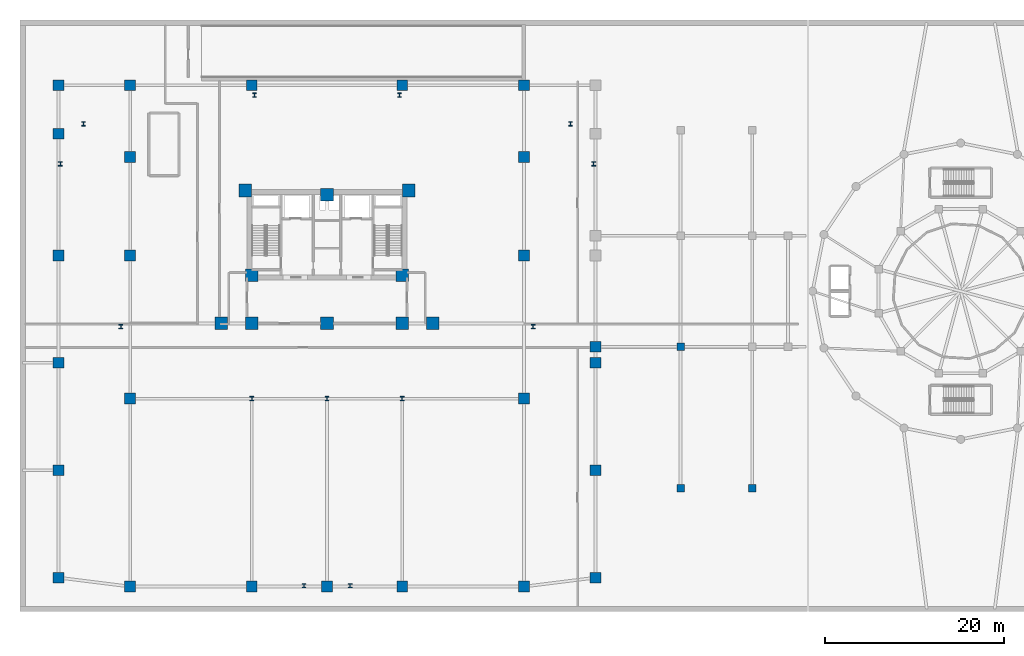
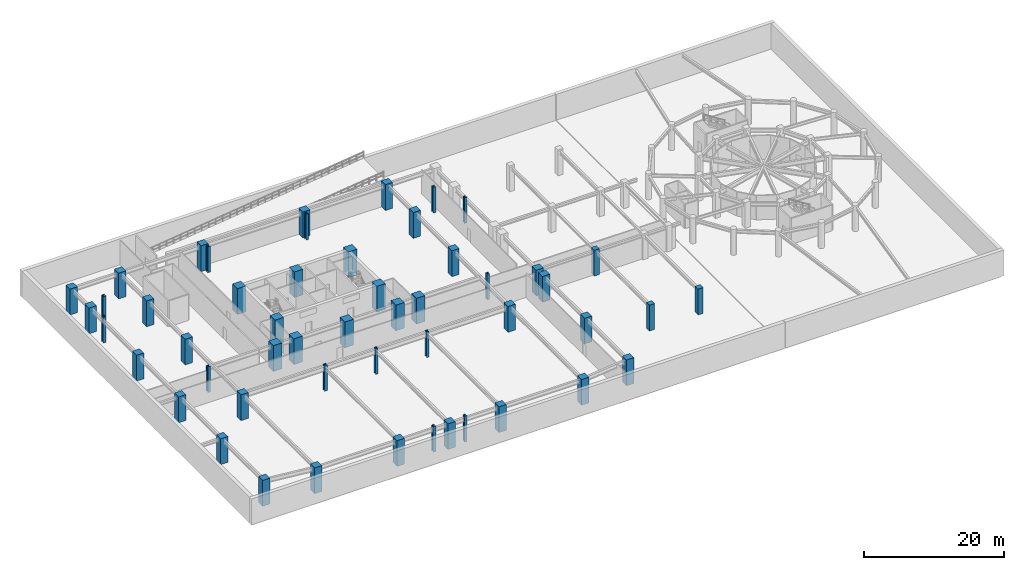
# One storey, part 1 of 15: 51 columns.
"""IFC4 building model written with IfcOpenShell, lengths in metres."""

from ifc_helpers import new_model, si_unit, derived_unit, direction, frame, origin, origin_2d, place, context, subcontext, project, spatial, rectangle, i_section, extrude, source, transform, mapped, material, material_profile, profile_set, type_object, element, save


model = new_model("IFC4")

# Units and contexts
model_context = context("Model", 3, precision=1e-05, world=origin(), true_north=direction((0.0, 1.0)))
body_context = subcontext(model_context, "Body", "Model", "MODEL_VIEW")
ifc_project = project(units=[si_unit("LENGTHUNIT", "METRE"), si_unit("AREAUNIT", "SQUARE_METRE"), si_unit("VOLUMEUNIT", "CUBIC_METRE"), si_unit("PLANEANGLEUNIT", "RADIAN"), si_unit("MASSUNIT", "GRAM", prefix="KILO"), derived_unit("THERMALTRANSMITTANCEUNIT", [(si_unit("POWERUNIT", "WATT"), 1), (si_unit("LENGTHUNIT", "METRE"), -2), (si_unit("THERMODYNAMICTEMPERATUREUNIT", "KELVIN"), -1)])], contexts=[model_context])

# Site, building, storey
site_placement = place(None, origin())
site = spatial("IfcSite", under=ifc_project, at=site_placement, CompositionType="ELEMENT")
building_placement = place(site_placement, origin())
building = spatial("IfcBuilding", under=site, at=building_placement, Name="Korsvarv Bourse and Concert Hall", CompositionType="ELEMENT")
storey_placement = place(building_placement, frame((0.0, 0.0, -4.5)))
storey = spatial("IfcBuildingStorey", under=building, at=storey_placement, Name="B01", CompositionType="ELEMENT", Elevation=-4.5)

# Columns
ifc_material_1 = material(Name="Concrete C60/75", Category="concrete")
ifc_material_profile_1 = material_profile(ifc_material_1, rectangle(XDim=1.39990234375, YDim=1.39990234375, at=origin_2d()), Name="RC 1400x1400")
ifc_profile_set_1 = profile_set([ifc_material_profile_1], Name="Concrete C60/75")
column_type_1 = type_object("IfcColumnType", Name="COL-RC1400", PredefinedType="COLUMN", material=ifc_profile_set_1)
shared_shape_1 = source(origin(), body_context, "Body", "SweptSolid", [
    extrude(rectangle(XDim=1.39990234375, YDim=1.39990234375, at=origin_2d()), origin(), (0.0, 0.0, 1.0), 4.5),
])
for number, where, z_axis, x_axis, name in (
    (1, (26.85009765625, 47.25, 0.0), (0.0, 0.0, 1.0), (1.0, 0.0, 0.0), "B01 column C-01"),
    (2, (45.14990234375, 47.25, 0.0), (0.0, 0.0, 1.0), (1.0, 0.0, 0.0), "B01 column C-01"),
    (3, (27.60009765625, 37.800048828125, 0.0), (0.0, 0.0, 1.0), (1.0, 0.0, 0.0), "B01 column C-01"),
    (4, (44.39990234375, 37.800048828125, 0.0), (0.0, 0.0, 1.0), (1.0, 0.0, 0.0), "B01 column C-01"),
    (5, (27.60009765625, 32.39990234375, 0.0), (0.0, 0.0, 1.0), (1.0, 0.0, 0.0), "B01 column C-01"),
    (6, (44.39990234375, 32.39990234375, 0.0), (0.0, 0.0, 1.0), (1.0, 0.0, 0.0), "B01 column C-01"),
    (7, (36.0, 46.800048828125, 0.0), (0.0, 0.0, 1.0), (1.0, 0.0, 0.0), "B01 column C-01"),
    (8, (36.0, 32.39990234375, 0.0), (0.0, 0.0, 1.0), (1.0, 0.0, 0.0), "B01 column C-01"),
    (9, (24.199951171875, 32.39990234375, 0.0), (0.0, 0.0, 1.0), (1.0, 0.0, 0.0), "B01 column C-01"),
    (10, (47.800048828125, 32.39990234375, 0.0), (0.0, 0.0, 1.0), (1.0, 0.0, 0.0), "B01 column C-01"),
):
    element("IfcColumn", number, at=place(storey_placement, frame(where, z_axis=z_axis, x_axis=x_axis)), inside=storey, type_object=column_type_1, Name=name, PredefinedType="COLUMN", context=body_context, shape_type="MappedRepresentation", body=[
        mapped(shared_shape_1, transform((0.0, 0.0, 0.0), scale=1.0)),
    ])
ifc_material_2 = material(Name="Steel S460", Category="steel")
ifc_material_profile_2 = material_profile(ifc_material_2, i_section(OverallWidth=0.424072265625, OverallDepth=0.47412109375, WebThickness=0.044921875, FlangeThickness=0.072021484375, FilletRadius=0.014892578125, at=origin_2d()), Name="HD 400x634")
ifc_profile_set_2 = profile_set([ifc_material_profile_2], Name="Steel S460")
column_type_2 = type_object("IfcColumnType", Name="COL-HD634", PredefinedType="COLUMN", material=ifc_profile_set_2)
shared_shape_2 = source(origin(), body_context, "Body", "SweptSolid", [
    extrude(i_section(OverallWidth=0.424072265625, OverallDepth=0.47412109375, WebThickness=0.044921875, FlangeThickness=0.072021484375, FilletRadius=0.014892578125, at=origin_2d()), origin(), (0.0, 0.0, 1.0), 4.5),
])
for number, where, z_axis, x_axis, name in (
    (11, (27.60009765625, 24.0, 0.0), (0.0, 0.0, 1.0), (1.0, 0.0, 0.0), "B01 column C-07"),
    (12, (44.39990234375, 24.0, 0.0), (0.0, 0.0, 1.0), (1.0, 0.0, 0.0), "B01 column C-07"),
    (13, (36.0, 24.0, 0.0), (0.0, 0.0, 1.0), (1.0, 0.0, 0.0), "B01 column C-07"),
    (14, (65.78857421875, 50.21728515625, 0.0), (0.0, 0.0, 1.0), (1.0, 0.0, 0.0), "B01 column C-07"),
    (15, (63.206787109375, 54.689208984375, 0.0), (0.0, 0.0, 1.0), (1.0, 0.0, 0.0), "B01 column C-07"),
    (16, (44.097412109375, 57.9169921875, 0.0), (0.0, 0.0, 1.0), (1.0, 0.0, 0.0), "B01 column C-07"),
    (17, (27.902587890625, 57.9169921875, 0.0), (0.0, 0.0, 1.0), (1.0, 0.0, 0.0), "B01 column C-07"),
    (18, (8.793212890625, 54.689208984375, 0.0), (0.0, 0.0, 1.0), (1.0, 0.0, 0.0), "B01 column C-07"),
    (19, (6.21142578125, 50.21728515625, 0.0), (0.0, 0.0, 1.0), (1.0, 0.0, 0.0), "B01 column C-07"),
    (20, (12.970458984375, 32.05419921875, 0.0), (0.0, 0.0, 1.0), (1.0, 0.0, 0.0), "B01 column C-07"),
    (21, (33.418212890625, 3.09375, 0.0), (0.0, 0.0, 1.0), (1.0, 0.0, 0.0), "B01 column C-07"),
    (22, (38.581787109375, 3.09375, 0.0), (0.0, 0.0, 1.0), (1.0, 0.0, 0.0), "B01 column C-07"),
    (23, (59.029541015625, 32.05419921875, 0.0), (0.0, 0.0, 1.0), (1.0, 0.0, 0.0), "B01 column C-07"),
):
    element("IfcColumn", number, at=place(storey_placement, frame(where, z_axis=z_axis, x_axis=x_axis)), inside=storey, type_object=column_type_2, Name=name, PredefinedType="COLUMN", context=body_context, shape_type="MappedRepresentation", body=[
        mapped(shared_shape_2, transform((0.0, 0.0, 0.0), scale=1.0)),
    ])
ifc_material_profile_3 = material_profile(ifc_material_1, rectangle(XDim=1.199951171875, YDim=1.199951171875, at=origin_2d()), Name="RC 1200x1200")
ifc_profile_set_3 = profile_set([ifc_material_profile_3], Name="Concrete C60/75")
column_type_3 = type_object("IfcColumnType", Name="COL-RC1200", PredefinedType="COLUMN", material=ifc_profile_set_3)
shared_shape_3 = source(origin(), body_context, "Body", "SweptSolid", [
    extrude(rectangle(XDim=1.199951171875, YDim=1.199951171875, at=origin_2d()), origin(), (0.0, 0.0, 1.0), 4.5),
])
for number, where, z_axis, x_axis, name in (
    (24, (6.0, 4.0, 0.0), (0.0, 0.0, 1.0), (1.0, 0.0, 0.0), "B01 column C-02"),
    (25, (6.0, 16.0, 0.0), (0.0, 0.0, 1.0), (1.0, 0.0, 0.0), "B01 column C-02"),
    (26, (6.0, 28.0, 0.0), (0.0, 0.0, 1.0), (1.0, 0.0, 0.0), "B01 column C-02"),
    (27, (6.0, 40.0, 0.0), (0.0, 0.0, 1.0), (1.0, 0.0, 0.0), "B01 column C-02"),
    (28, (6.0, 53.60009765625, 0.0), (0.0, 0.0, 1.0), (1.0, 0.0, 0.0), "B01 column C-02"),
    (29, (6.0, 59.0, 0.0), (0.0, 0.0, 1.0), (1.0, 0.0, 0.0), "B01 column C-02"),
    (30, (66.0, 4.0, 0.0), (0.0, 0.0, 1.0), (1.0, 0.0, 0.0), "B01 column C-02"),
    (31, (66.0, 16.0, 0.0), (0.0, 0.0, 1.0), (1.0, 0.0, 0.0), "B01 column C-02"),
    (32, (66.0, 28.0, 0.0), (0.0, 0.0, 1.0), (1.0, 0.0, 0.0), "B01 column C-02"),
    (33, (14.0, 3.0, 0.0), (0.0, 0.0, 1.0), (1.0, 0.0, 0.0), "B01 column C-02"),
    (34, (27.60009765625, 3.0, 0.0), (0.0, 0.0, 1.0), (1.0, 0.0, 0.0), "B01 column C-02"),
    (35, (36.0, 3.0, 0.0), (0.0, 0.0, 1.0), (1.0, 0.0, 0.0), "B01 column C-02"),
    (36, (44.39990234375, 3.0, 0.0), (0.0, 0.0, 1.0), (1.0, 0.0, 0.0), "B01 column C-02"),
    (37, (58.0, 3.0, 0.0), (0.0, 0.0, 1.0), (1.0, 0.0, 0.0), "B01 column C-02"),
    (38, (14.0, 59.0, 0.0), (0.0, 0.0, 1.0), (1.0, 0.0, 0.0), "B01 column C-02"),
    (39, (27.60009765625, 59.0, 0.0), (0.0, 0.0, 1.0), (1.0, 0.0, 0.0), "B01 column C-02"),
    (40, (44.39990234375, 59.0, 0.0), (0.0, 0.0, 1.0), (1.0, 0.0, 0.0), "B01 column C-02"),
    (41, (58.0, 59.0, 0.0), (0.0, 0.0, 1.0), (1.0, 0.0, 0.0), "B01 column C-02"),
    (42, (14.0, 24.0, 0.0), (0.0, 0.0, 1.0), (1.0, 0.0, 0.0), "B01 column C-02"),
    (43, (58.0, 24.0, 0.0), (0.0, 0.0, 1.0), (1.0, 0.0, 0.0), "B01 column C-02"),
    (44, (14.0, 40.0, 0.0), (0.0, 0.0, 1.0), (1.0, 0.0, 0.0), "B01 column C-02"),
    (45, (58.0, 40.0, 0.0), (0.0, 0.0, 1.0), (1.0, 0.0, 0.0), "B01 column C-02"),
    (46, (14.0, 51.0, 0.0), (0.0, 0.0, 1.0), (1.0, 0.0, 0.0), "B01 column C-02"),
    (47, (58.0, 51.0, 0.0), (0.0, 0.0, 1.0), (1.0, 0.0, 0.0), "B01 column C-02"),
    (48, (66.0, 29.800048828125, 0.0), (0.0, 0.0, 1.0), (1.0, 0.0, 0.0), "B01 column C-02"),
):
    element("IfcColumn", number, at=place(storey_placement, frame(where, z_axis=z_axis, x_axis=x_axis)), inside=storey, type_object=column_type_3, Name=name, PredefinedType="COLUMN", context=body_context, shape_type="MappedRepresentation", body=[
        mapped(shared_shape_3, transform((0.0, 0.0, 0.0), scale=1.0)),
    ])
ifc_material_3 = material(Name="Concrete C50/60", Category="concrete")
ifc_material_profile_4 = material_profile(ifc_material_3, rectangle(XDim=0.85009765625, YDim=0.85009765625, at=origin_2d()), Name="RC 850x850")
ifc_profile_set_4 = profile_set([ifc_material_profile_4], Name="Concrete C50/60")
column_type_4 = type_object("IfcColumnType", Name="COL-RC850", PredefinedType="COLUMN", material=ifc_profile_set_4)
shared_shape_4 = source(origin(), body_context, "Body", "SweptSolid", [
    extrude(rectangle(XDim=0.85009765625, YDim=0.85009765625, at=origin_2d()), origin(), (0.0, 0.0, 1.0), 4.5),
])
for number, where, z_axis, x_axis, name in (
    (49, (75.5, 29.800048828125, 0.0), (0.0, 0.0, 1.0), (1.0, 0.0, 0.0), "B01 column C-04"),
    (50, (75.5, 14.0, 0.0), (0.0, 0.0, 1.0), (1.0, 0.0, 0.0), "B01 column C-04"),
    (51, (83.5, 14.0, 0.0), (0.0, 0.0, 1.0), (1.0, 0.0, 0.0), "B01 column C-04"),
):
    element("IfcColumn", number, at=place(storey_placement, frame(where, z_axis=z_axis, x_axis=x_axis)), inside=storey, type_object=column_type_4, Name=name, PredefinedType="COLUMN", context=body_context, shape_type="MappedRepresentation", body=[
        mapped(shared_shape_4, transform((0.0, 0.0, 0.0), scale=1.0)),
    ])

save(model, "model.ifc")
